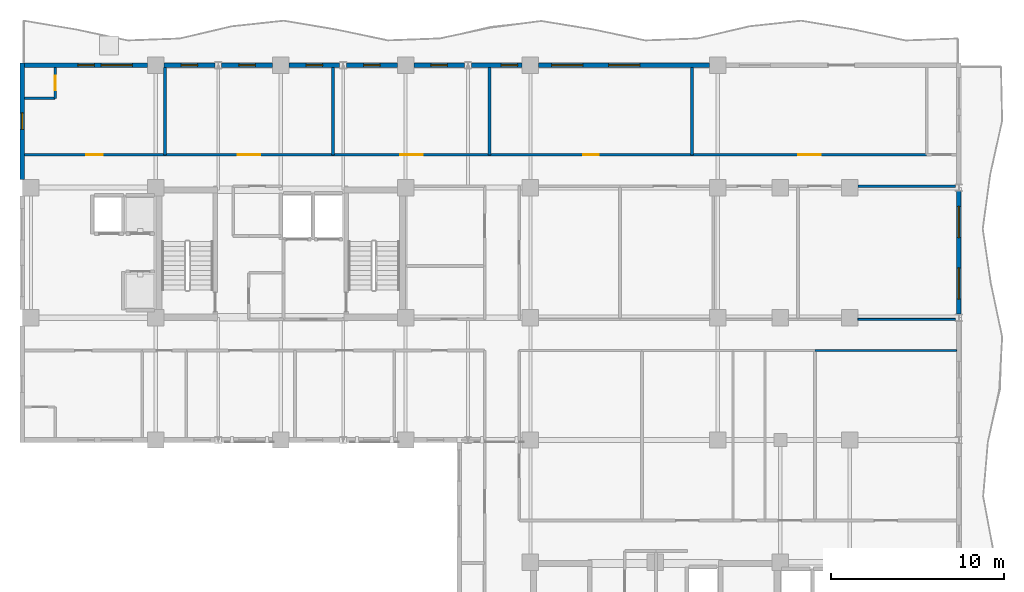
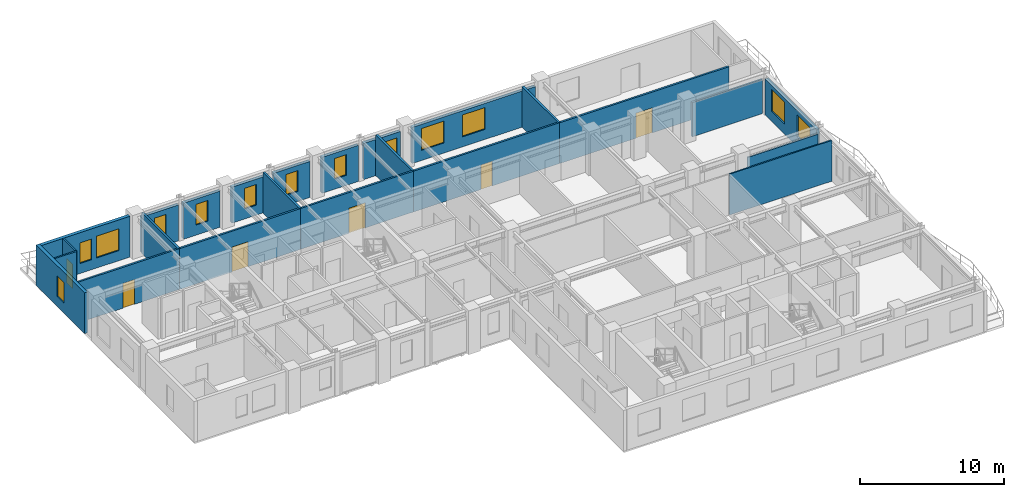
# One storey, part 9 of 14: 24 walls, 13 windows, 6 doors, 19 openings.
"""IFC4 building model written with IfcOpenShell, lengths in metres."""

from ifc_helpers import new_model, si_unit, direction, frame, frame_2d, origin, place, context, subcontext, project, spatial, rectangle, extrude, material, layer, layer_set, type_object, element, fill, save


model = new_model("IFC4")

# Units and contexts
model_context = context("Model", 3, precision=1e-05, world=origin(), true_north=direction((0.0, 1.0)))
body_context = subcontext(model_context, "Body", "Model", "MODEL_VIEW")
ifc_project = project(units=[si_unit("LENGTHUNIT", "METRE"), si_unit("AREAUNIT", "SQUARE_METRE"), si_unit("VOLUMEUNIT", "CUBIC_METRE"), si_unit("PLANEANGLEUNIT", "RADIAN"), si_unit("MASSUNIT", "GRAM", prefix="KILO")], contexts=[model_context])

# Site, building, storey
site_placement = place(None, origin())
site = spatial("IfcSite", under=ifc_project, at=site_placement, CompositionType="ELEMENT")
building_placement = place(site_placement, origin())
building = spatial("IfcBuilding", under=site, at=building_placement, Name="Kaliganga Portal Commons", CompositionType="ELEMENT")
storey_placement = place(building_placement, frame((0.0, 0.0, 220.300048828125)))
storey = spatial("IfcBuildingStorey", under=building, at=storey_placement, Name="L56", CompositionType="ELEMENT", Elevation=220.300048828125)

# Wall, openings, windows
ifc_material_1 = material(Name="Insulated Aluminium-Clad Spandrel Assembly", Category="aluminium")
ifc_layer_1 = layer(ifc_material_1, 0.260009765625)
ifc_layer_set_1 = layer_set([ifc_layer_1], Name="Insulated Aluminium-Clad Spandrel Assembly")
wall_type_1 = type_object("IfcWallType", Name="WL-EXT-SPAND-260", PredefinedType="STANDARD", material=ifc_layer_set_1)
wall_1_placement = place(storey_placement, frame((60.699951171875, 35.948974609375, 0.0), z_axis=(0.0, 0.0, 1.0), x_axis=(0.0, -1.0, 0.0)))
wall_1 = element("IfcWall", 1, at=wall_1_placement, inside=storey, type_object=wall_type_1, Name="Exterior Envelope Wall L56 P1-E01-S5", PredefinedType="STANDARD", context=body_context, shape_type="SweptSolid", body=[
    extrude(rectangle(XDim=7.097900390625, YDim=0.260009765625, at=frame_2d((3.548828125, 0.0))), origin(), (0.0, 0.0, 1.0), 3.050048828125),
])
opening_1_placement = place(wall_1_placement, frame((0.87451171875, 0.0, 0.85009765625)))
opening_1 = element("IfcOpeningElement", 2, at=opening_1_placement, cuts=wall_1, Name="Opening W-01", PredefinedType="OPENING", context=body_context, shape_type="SweptSolid", body=[
    extrude(rectangle(XDim=1.800048828125, YDim=1.85009765625, at=frame_2d((0.89990234375, 0.925048828125))), frame((0.0, 0.14013671875, 0.0), z_axis=(0.0, -1.0, 0.0), x_axis=(1.0, 0.0, 0.0)), (0.0, 0.0, 1.0), 0.280029296875),
])
opening_2_placement = place(wall_1_placement, frame((4.423583984375, 0.0, 0.85009765625)))
opening_2 = element("IfcOpeningElement", 3, at=opening_2_placement, cuts=wall_1, Name="Opening W-01", PredefinedType="OPENING", context=body_context, shape_type="SweptSolid", body=[
    extrude(rectangle(XDim=1.800048828125, YDim=1.85009765625, at=frame_2d((0.89990234375, 0.925048828125))), frame((0.0, 0.14013671875, 0.0), z_axis=(0.0, -1.0, 0.0), x_axis=(1.0, 0.0, 0.0)), (0.0, 0.0, 1.0), 0.280029296875),
])
ifc_material_2 = material(Name="Thermally Broken Aluminium and Low-E Double Glazing", Category="aluminium")
window_type_1 = type_object("IfcWindowType", Name="WIN-STD-1800", PartitioningType="DOUBLE_PANEL_VERTICAL", PredefinedType="WINDOW", material=ifc_material_2)
window_1_placement = place(opening_1_placement, origin())
window_1 = element("IfcWindow", 4, at=window_1_placement, inside=storey, type_object=window_type_1, Name="Facade Window L56-P1E01S5-00", OverallHeight=1.85009765625, OverallWidth=1.800048828125, PartitioningType="SINGLE_PANEL", PredefinedType="WINDOW", context=body_context, shape_type="SweptSolid", body=[
    extrude(rectangle(XDim=1.800048828125, YDim=1.85009765625, at=frame_2d((0.89990234375, 0.925048828125))), frame((0.0, 0.030029296875, 0.0), z_axis=(0.0, -1.0, 0.0), x_axis=(1.0, 0.0, 0.0)), (0.0, 0.0, 1.0), 0.06005859375),
])
fill(opening_1, window_1)
window_2_placement = place(opening_2_placement, origin())
window_2 = element("IfcWindow", 5, at=window_2_placement, inside=storey, type_object=window_type_1, Name="Facade Window L56-P1E01S5-01", OverallHeight=1.85009765625, OverallWidth=1.800048828125, PartitioningType="SINGLE_PANEL", PredefinedType="WINDOW", context=body_context, shape_type="SweptSolid", body=[
    extrude(rectangle(XDim=1.800048828125, YDim=1.85009765625, at=frame_2d((0.89990234375, 0.925048828125))), frame((0.0, 0.030029296875, 0.0), z_axis=(0.0, -1.0, 0.0), x_axis=(1.0, 0.0, 0.0)), (0.0, 0.0, 1.0), 0.06005859375),
])
fill(opening_2, window_2)

wall_2_placement = place(storey_placement, frame((36.47607421875, 43.199951171875, 0.0), z_axis=(0.0, 0.0, 1.0), x_axis=(1.0, 0.0, 0.0)))
wall_2 = element("IfcWall", 6, at=wall_2_placement, inside=storey, type_object=wall_type_1, Name="Exterior Envelope Wall L56 P1-E02-S2", PredefinedType="STANDARD", context=body_context, shape_type="SweptSolid", body=[
    extrude(rectangle(XDim=9.847900390625, YDim=0.260009765625, at=frame_2d((4.923828125, 0.0))), origin(), (0.0, 0.0, 1.0), 3.050048828125),
])
opening_3_placement = place(wall_2_placement, frame((0.7412109375, 0.0, 0.85009765625)))
opening_3 = element("IfcOpeningElement", 7, at=opening_3_placement, cuts=wall_2, Name="Opening W-01", PredefinedType="OPENING", context=body_context, shape_type="SweptSolid", body=[
    extrude(rectangle(XDim=1.800048828125, YDim=1.85009765625, at=frame_2d((0.89990234375, 0.925048828125))), frame((0.0, 0.14013671875, 0.0), z_axis=(0.0, -1.0, 0.0), x_axis=(1.0, 0.0, 0.0)), (0.0, 0.0, 1.0), 0.280029296875),
])
opening_4_placement = place(wall_2_placement, frame((4.02392578125, 0.0, 0.85009765625)))
opening_4 = element("IfcOpeningElement", 8, at=opening_4_placement, cuts=wall_2, Name="Opening W-01", PredefinedType="OPENING", context=body_context, shape_type="SweptSolid", body=[
    extrude(rectangle(XDim=1.800048828125, YDim=1.85009765625, at=frame_2d((0.89990234375, 0.925048828125))), frame((0.0, 0.14013671875, 0.0), z_axis=(0.0, -1.0, 0.0), x_axis=(1.0, 0.0, 0.0)), (0.0, 0.0, 1.0), 0.280029296875),
])
window_3_placement = place(opening_3_placement, origin())
window_3 = element("IfcWindow", 9, at=window_3_placement, inside=storey, type_object=window_type_1, Name="Facade Window L56-P1E02S2-00", OverallHeight=1.85009765625, OverallWidth=1.800048828125, PartitioningType="SINGLE_PANEL", PredefinedType="WINDOW", context=body_context, shape_type="SweptSolid", body=[
    extrude(rectangle(XDim=1.800048828125, YDim=1.85009765625, at=frame_2d((0.89990234375, 0.925048828125))), frame((0.0, 0.030029296875, 0.0), z_axis=(0.0, -1.0, 0.0), x_axis=(1.0, 0.0, 0.0)), (0.0, 0.0, 1.0), 0.06005859375),
])
fill(opening_3, window_3)
window_4_placement = place(opening_4_placement, origin())
window_4 = element("IfcWindow", 10, at=window_4_placement, inside=storey, type_object=window_type_1, Name="Facade Window L56-P1E02S2-01", OverallHeight=1.85009765625, OverallWidth=1.800048828125, PartitioningType="SINGLE_PANEL", PredefinedType="WINDOW", context=body_context, shape_type="SweptSolid", body=[
    extrude(rectangle(XDim=1.800048828125, YDim=1.85009765625, at=frame_2d((0.89990234375, 0.925048828125))), frame((0.0, 0.030029296875, 0.0), z_axis=(0.0, -1.0, 0.0), x_axis=(1.0, 0.0, 0.0)), (0.0, 0.0, 1.0), 0.06005859375),
])
fill(opening_4, window_4)

# Wall, opening, window
wall_3_placement = place(storey_placement, frame((32.6005859375, 43.199951171875, 0.0), z_axis=(0.0, 0.0, 1.0), x_axis=(1.0, 0.0, 0.0)))
wall_3 = element("IfcWall", 11, at=wall_3_placement, inside=storey, type_object=wall_type_1, Name="Exterior Envelope Wall L56 P1-E02-S3", PredefinedType="STANDARD", context=body_context, shape_type="SweptSolid", body=[
    extrude(rectangle(XDim=2.92333984375, YDim=0.260009765625, at=frame_2d((1.461669921875, 0.0))), origin(), (0.0, 0.0, 1.0), 3.050048828125),
])
opening_5_placement = place(wall_3_placement, frame((1.7119140625, 0.0, 0.85009765625)))
opening_5 = element("IfcOpeningElement", 12, at=opening_5_placement, cuts=wall_3, Name="Opening W-04", PredefinedType="OPENING", context=body_context, shape_type="SweptSolid", body=[
    extrude(rectangle(XDim=0.949951171875, YDim=1.75, at=frame_2d((0.47509765625, 0.875))), frame((0.0, 0.14013671875, 0.0), z_axis=(0.0, -1.0, 0.0), x_axis=(1.0, 0.0, 0.0)), (0.0, 0.0, 1.0), 0.280029296875),
])
window_type_2 = type_object("IfcWindowType", Name="WIN-NARROW-950", PartitioningType="SINGLE_PANEL", PredefinedType="WINDOW", material=ifc_material_2)
window_5_placement = place(opening_5_placement, origin())
window_5 = element("IfcWindow", 13, at=window_5_placement, inside=storey, type_object=window_type_2, Name="Facade Window L56-P1E02S3-N2", OverallHeight=1.75, OverallWidth=0.949951171875, PartitioningType="SINGLE_PANEL", PredefinedType="WINDOW", context=body_context, shape_type="SweptSolid", body=[
    extrude(rectangle(XDim=0.949951171875, YDim=1.75, at=frame_2d((0.47509765625, 0.875))), frame((0.0, 0.030029296875, 0.0), z_axis=(0.0, -1.0, 0.0), x_axis=(1.0, 0.0, 0.0)), (0.0, 0.0, 1.0), 0.06005859375),
])
fill(opening_5, window_5)

wall_4_placement = place(storey_placement, frame((29.27587890625, 43.199951171875, 0.0), z_axis=(0.0, 0.0, 1.0), x_axis=(1.0, 0.0, 0.0)))
wall_4 = element("IfcWall", 14, at=wall_4_placement, inside=storey, type_object=wall_type_1, Name="Exterior Envelope Wall L56 P1-E02-S4", PredefinedType="STANDARD", context=body_context, shape_type="SweptSolid", body=[
    extrude(rectangle(XDim=2.923583984375, YDim=0.260009765625, at=frame_2d((1.4619140625, 0.0))), origin(), (0.0, 0.0, 1.0), 3.050048828125),
])
opening_6_placement = place(wall_4_placement, frame((0.98681640625, 0.0, 0.85009765625)))
opening_6 = element("IfcOpeningElement", 15, at=opening_6_placement, cuts=wall_4, Name="Opening W-04", PredefinedType="OPENING", context=body_context, shape_type="SweptSolid", body=[
    extrude(rectangle(XDim=0.949951171875, YDim=1.75, at=frame_2d((0.47509765625, 0.875))), frame((0.0, 0.14013671875, 0.0), z_axis=(0.0, -1.0, 0.0), x_axis=(1.0, 0.0, 0.0)), (0.0, 0.0, 1.0), 0.280029296875),
])
window_6_placement = place(opening_6_placement, origin())
window_6 = element("IfcWindow", 16, at=window_6_placement, inside=storey, type_object=window_type_2, Name="Facade Window L56-P1E02S4-00", OverallHeight=1.75, OverallWidth=0.949951171875, PartitioningType="SINGLE_PANEL", PredefinedType="WINDOW", context=body_context, shape_type="SweptSolid", body=[
    extrude(rectangle(XDim=0.949951171875, YDim=1.75, at=frame_2d((0.47509765625, 0.875))), frame((0.0, 0.030029296875, 0.0), z_axis=(0.0, -1.0, 0.0), x_axis=(1.0, 0.0, 0.0)), (0.0, 0.0, 1.0), 0.06005859375),
])
fill(opening_6, window_6)

wall_5_placement = place(storey_placement, frame((25.400390625, 43.199951171875, 0.0), z_axis=(0.0, 0.0, 1.0), x_axis=(1.0, 0.0, 0.0)))
wall_5 = element("IfcWall", 17, at=wall_5_placement, inside=storey, type_object=wall_type_1, Name="Exterior Envelope Wall L56 P1-E02-S5", PredefinedType="STANDARD", context=body_context, shape_type="SweptSolid", body=[
    extrude(rectangle(XDim=2.923583984375, YDim=0.260009765625, at=frame_2d((1.4619140625, 0.0))), origin(), (0.0, 0.0, 1.0), 3.050048828125),
])
opening_7_placement = place(wall_5_placement, frame((0.98681640625, 0.0, 0.85009765625)))
opening_7 = element("IfcOpeningElement", 18, at=opening_7_placement, cuts=wall_5, Name="Opening W-04", PredefinedType="OPENING", context=body_context, shape_type="SweptSolid", body=[
    extrude(rectangle(XDim=0.949951171875, YDim=1.75, at=frame_2d((0.47509765625, 0.875))), frame((0.0, 0.14013671875, 0.0), z_axis=(0.0, -1.0, 0.0), x_axis=(1.0, 0.0, 0.0)), (0.0, 0.0, 1.0), 0.280029296875),
])
window_7_placement = place(opening_7_placement, origin())
window_7 = element("IfcWindow", 19, at=window_7_placement, inside=storey, type_object=window_type_2, Name="Facade Window L56-P1E02S5-00", OverallHeight=1.75, OverallWidth=0.949951171875, PartitioningType="SINGLE_PANEL", PredefinedType="WINDOW", context=body_context, shape_type="SweptSolid", body=[
    extrude(rectangle(XDim=0.949951171875, YDim=1.75, at=frame_2d((0.47509765625, 0.875))), frame((0.0, 0.030029296875, 0.0), z_axis=(0.0, -1.0, 0.0), x_axis=(1.0, 0.0, 0.0)), (0.0, 0.0, 1.0), 0.06005859375),
])
fill(opening_7, window_7)

wall_6_placement = place(storey_placement, frame((22.075927734375, 43.199951171875, 0.0), z_axis=(0.0, 0.0, 1.0), x_axis=(1.0, 0.0, 0.0)))
wall_6 = element("IfcWall", 20, at=wall_6_placement, inside=storey, type_object=wall_type_1, Name="Exterior Envelope Wall L56 P1-E02-S6", PredefinedType="STANDARD", context=body_context, shape_type="SweptSolid", body=[
    extrude(rectangle(XDim=2.923583984375, YDim=0.260009765625, at=frame_2d((1.4619140625, 0.0))), origin(), (0.0, 0.0, 1.0), 3.050048828125),
])
opening_8_placement = place(wall_6_placement, frame((0.98681640625, 0.0, 0.85009765625)))
opening_8 = element("IfcOpeningElement", 21, at=opening_8_placement, cuts=wall_6, Name="Opening W-04", PredefinedType="OPENING", context=body_context, shape_type="SweptSolid", body=[
    extrude(rectangle(XDim=0.949951171875, YDim=1.75, at=frame_2d((0.47509765625, 0.875))), frame((0.0, 0.14013671875, 0.0), z_axis=(0.0, -1.0, 0.0), x_axis=(1.0, 0.0, 0.0)), (0.0, 0.0, 1.0), 0.280029296875),
])
window_8_placement = place(opening_8_placement, origin())
window_8 = element("IfcWindow", 22, at=window_8_placement, inside=storey, type_object=window_type_2, Name="Facade Window L56-P1E02S6-00", OverallHeight=1.75, OverallWidth=0.949951171875, PartitioningType="SINGLE_PANEL", PredefinedType="WINDOW", context=body_context, shape_type="SweptSolid", body=[
    extrude(rectangle(XDim=0.949951171875, YDim=1.75, at=frame_2d((0.47509765625, 0.875))), frame((0.0, 0.030029296875, 0.0), z_axis=(0.0, -1.0, 0.0), x_axis=(1.0, 0.0, 0.0)), (0.0, 0.0, 1.0), 0.06005859375),
])
fill(opening_8, window_8)

wall_7_placement = place(storey_placement, frame((18.200439453125, 43.199951171875, 0.0), z_axis=(0.0, 0.0, 1.0), x_axis=(1.0, 0.0, 0.0)))
wall_7 = element("IfcWall", 23, at=wall_7_placement, inside=storey, type_object=wall_type_1, Name="Exterior Envelope Wall L56 P1-E02-S7", PredefinedType="STANDARD", context=body_context, shape_type="SweptSolid", body=[
    extrude(rectangle(XDim=2.923583984375, YDim=0.260009765625, at=frame_2d((1.4619140625, 0.0))), origin(), (0.0, 0.0, 1.0), 3.050048828125),
])
opening_9_placement = place(wall_7_placement, frame((0.98681640625, 0.0, 0.85009765625)))
opening_9 = element("IfcOpeningElement", 24, at=opening_9_placement, cuts=wall_7, Name="Opening W-04", PredefinedType="OPENING", context=body_context, shape_type="SweptSolid", body=[
    extrude(rectangle(XDim=0.949951171875, YDim=1.75, at=frame_2d((0.47509765625, 0.875))), frame((0.0, 0.14013671875, 0.0), z_axis=(0.0, -1.0, 0.0), x_axis=(1.0, 0.0, 0.0)), (0.0, 0.0, 1.0), 0.280029296875),
])
window_9_placement = place(opening_9_placement, origin())
window_9 = element("IfcWindow", 25, at=window_9_placement, inside=storey, type_object=window_type_2, Name="Facade Window L56-P1E02S7-00", OverallHeight=1.75, OverallWidth=0.949951171875, PartitioningType="SINGLE_PANEL", PredefinedType="WINDOW", context=body_context, shape_type="SweptSolid", body=[
    extrude(rectangle(XDim=0.949951171875, YDim=1.75, at=frame_2d((0.47509765625, 0.875))), frame((0.0, 0.030029296875, 0.0), z_axis=(0.0, -1.0, 0.0), x_axis=(1.0, 0.0, 0.0)), (0.0, 0.0, 1.0), 0.06005859375),
])
fill(opening_9, window_9)

wall_8_placement = place(storey_placement, frame((14.8759765625, 43.199951171875, 0.0), z_axis=(0.0, 0.0, 1.0), x_axis=(1.0, 0.0, 0.0)))
wall_8 = element("IfcWall", 26, at=wall_8_placement, inside=storey, type_object=wall_type_1, Name="Exterior Envelope Wall L56 P1-E02-S8", PredefinedType="STANDARD", context=body_context, shape_type="SweptSolid", body=[
    extrude(rectangle(XDim=2.923583984375, YDim=0.260009765625, at=frame_2d((1.4619140625, 0.0))), origin(), (0.0, 0.0, 1.0), 3.050048828125),
])
opening_10_placement = place(wall_8_placement, frame((0.98681640625, 0.0, 0.85009765625)))
opening_10 = element("IfcOpeningElement", 27, at=opening_10_placement, cuts=wall_8, Name="Opening W-04", PredefinedType="OPENING", context=body_context, shape_type="SweptSolid", body=[
    extrude(rectangle(XDim=0.949951171875, YDim=1.75, at=frame_2d((0.47509765625, 0.875))), frame((0.0, 0.14013671875, 0.0), z_axis=(0.0, -1.0, 0.0), x_axis=(1.0, 0.0, 0.0)), (0.0, 0.0, 1.0), 0.280029296875),
])
window_10_placement = place(opening_10_placement, origin())
window_10 = element("IfcWindow", 28, at=window_10_placement, inside=storey, type_object=window_type_2, Name="Facade Window L56-P1E02S8-00", OverallHeight=1.75, OverallWidth=0.949951171875, PartitioningType="SINGLE_PANEL", PredefinedType="WINDOW", context=body_context, shape_type="SweptSolid", body=[
    extrude(rectangle(XDim=0.949951171875, YDim=1.75, at=frame_2d((0.47509765625, 0.875))), frame((0.0, 0.030029296875, 0.0), z_axis=(0.0, -1.0, 0.0), x_axis=(1.0, 0.0, 0.0)), (0.0, 0.0, 1.0), 0.06005859375),
])
fill(opening_10, window_10)

# Wall, openings, windows
wall_9_placement = place(storey_placement, frame((6.8349609375, 43.199951171875, 0.0), z_axis=(0.0, 0.0, 1.0), x_axis=(1.0, 0.0, 0.0)))
wall_9 = element("IfcWall", 29, at=wall_9_placement, inside=storey, type_object=wall_type_1, Name="Exterior Envelope Wall L56 P1-E02-S9", PredefinedType="STANDARD", context=body_context, shape_type="SweptSolid", body=[
    extrude(rectangle(XDim=7.089111328125, YDim=0.260009765625, at=frame_2d((3.54443359375, 0.0))), origin(), (0.0, 0.0, 1.0), 3.449951171875),
])
opening_11_placement = place(wall_9_placement, frame((4.416748046875, 0.0, 0.85009765625)))
opening_11 = element("IfcOpeningElement", 30, at=opening_11_placement, cuts=wall_9, Name="Opening W-01", PredefinedType="OPENING", context=body_context, shape_type="SweptSolid", body=[
    extrude(rectangle(XDim=1.800048828125, YDim=1.85009765625, at=frame_2d((0.89990234375, 0.925048828125))), frame((0.0, 0.14013671875, 0.0), z_axis=(0.0, -1.0, 0.0), x_axis=(1.0, 0.0, 0.0)), (0.0, 0.0, 1.0), 0.280029296875),
])
opening_12_placement = place(wall_9_placement, frame((3.069580078125, 0.0, 0.85009765625)))
opening_12 = element("IfcOpeningElement", 31, at=opening_12_placement, cuts=wall_9, Name="Opening W-04", PredefinedType="OPENING", context=body_context, shape_type="SweptSolid", body=[
    extrude(rectangle(XDim=0.949951171875, YDim=1.75, at=frame_2d((0.47509765625, 0.875))), frame((0.0, 0.14013671875, 0.0), z_axis=(0.0, -1.0, 0.0), x_axis=(1.0, 0.0, 0.0)), (0.0, 0.0, 1.0), 0.280029296875),
])
window_11_placement = place(opening_12_placement, origin())
window_11 = element("IfcWindow", 32, at=window_11_placement, inside=storey, type_object=window_type_2, Name="Facade Window L56-P1E02S9-N0", OverallHeight=1.75, OverallWidth=0.949951171875, PartitioningType="SINGLE_PANEL", PredefinedType="WINDOW", context=body_context, shape_type="SweptSolid", body=[
    extrude(rectangle(XDim=0.949951171875, YDim=1.75, at=frame_2d((0.47509765625, 0.875))), frame((0.0, 0.030029296875, 0.0), z_axis=(0.0, -1.0, 0.0), x_axis=(1.0, 0.0, 0.0)), (0.0, 0.0, 1.0), 0.06005859375),
])
fill(opening_12, window_11)
window_12_placement = place(opening_11_placement, origin())
window_12 = element("IfcWindow", 33, at=window_12_placement, inside=storey, type_object=window_type_1, Name="Facade Window L56-P1E02S9-01", OverallHeight=1.85009765625, OverallWidth=1.800048828125, PartitioningType="SINGLE_PANEL", PredefinedType="WINDOW", context=body_context, shape_type="SweptSolid", body=[
    extrude(rectangle(XDim=1.800048828125, YDim=1.85009765625, at=frame_2d((0.89990234375, 0.925048828125))), frame((0.0, 0.030029296875, 0.0), z_axis=(0.0, -1.0, 0.0), x_axis=(1.0, 0.0, 0.0)), (0.0, 0.0, 1.0), 0.06005859375),
])
fill(opening_11, window_12)

# Wall, opening, window
wall_10_placement = place(storey_placement, frame((6.699951171875, 36.6259765625, 0.0), z_axis=(0.0, 0.0, 1.0), x_axis=(0.0, 1.0, 0.0)))
wall_10 = element("IfcWall", 34, at=wall_10_placement, inside=storey, type_object=wall_type_1, Name="Exterior Envelope Wall L56 P1-E03-S1", PredefinedType="STANDARD", context=body_context, shape_type="SweptSolid", body=[
    extrude(rectangle(XDim=6.7041015625, YDim=0.260009765625, at=frame_2d((3.35205078125, 0.0))), origin(), (0.0, 0.0, 1.0), 3.449951171875),
])
opening_13_placement = place(wall_10_placement, frame((2.876953125, 0.0, 0.85009765625)))
opening_13 = element("IfcOpeningElement", 35, at=opening_13_placement, cuts=wall_10, Name="Opening W-04", PredefinedType="OPENING", context=body_context, shape_type="SweptSolid", body=[
    extrude(rectangle(XDim=0.949951171875, YDim=1.75, at=frame_2d((0.47509765625, 0.875))), frame((0.0, 0.14013671875, 0.0), z_axis=(0.0, -1.0, 0.0), x_axis=(1.0, 0.0, 0.0)), (0.0, 0.0, 1.0), 0.280029296875),
])
window_13_placement = place(opening_13_placement, origin())
window_13 = element("IfcWindow", 36, at=window_13_placement, inside=storey, type_object=window_type_2, Name="Facade Window L56-P1E03S1-N0", OverallHeight=1.75, OverallWidth=0.949951171875, PartitioningType="SINGLE_PANEL", PredefinedType="WINDOW", context=body_context, shape_type="SweptSolid", body=[
    extrude(rectangle(XDim=0.949951171875, YDim=1.75, at=frame_2d((0.47509765625, 0.875))), frame((0.0, 0.030029296875, 0.0), z_axis=(0.0, -1.0, 0.0), x_axis=(1.0, 0.0, 0.0)), (0.0, 0.0, 1.0), 0.06005859375),
])
fill(opening_13, window_13)

# Wall, opening, door
ifc_material_3 = material(Name="Fire-Rated Gypsum Board on Steel Stud", Category="steel")
ifc_layer_2 = layer(ifc_material_3, 0.14990234375)
ifc_layer_set_2 = layer_set([ifc_layer_2], Name="Fire-Rated Gypsum Board on Steel Stud")
wall_type_2 = type_object("IfcWallType", Name="WL-PART-CORR-150", PredefinedType="PARTITIONING", material=ifc_layer_set_2)
wall_11_placement = place(storey_placement, frame((45.320068359375, 38.0400390625, 0.0), z_axis=(0.0, 0.0, 1.0), x_axis=(1.0, 0.0, 0.0)))
wall_11 = element("IfcWall", 37, at=wall_11_placement, inside=storey, type_object=wall_type_2, Name="Interior Partition L56-005", PredefinedType="PARTITIONING", context=body_context, shape_type="SweptSolid", body=[
    extrude(rectangle(XDim=13.52001953125, YDim=0.14990234375, at=frame_2d((6.760009765625, 0.0))), origin(), (0.0, 0.0, 1.0), 3.449951171875),
])
opening_14_placement = place(wall_11_placement, frame((6.110107421875, 0.0, 0.0)))
opening_14 = element("IfcOpeningElement", 38, at=opening_14_placement, cuts=wall_11, Name="Opening RD-03", PredefinedType="OPENING", context=body_context, shape_type="SweptSolid", body=[
    extrude(rectangle(XDim=1.300048828125, YDim=2.1201171875, at=frame_2d((0.64990234375, 1.06005859375))), frame((0.0, 0.0849609375, 0.0), z_axis=(0.0, -1.0, 0.0), x_axis=(1.0, 0.0, 0.0)), (0.0, 0.0, 1.0), 0.169921875),
])
ifc_material_4 = material(Name="Glazed Timber Seminar Vision Door", Category="wood")
door_type_1 = type_object("IfcDoorType", Name="DR-STUDY-1300", OperationType="DOUBLE_DOOR_SINGLE_SWING", PredefinedType="DOOR", material=ifc_material_4)
door_1_placement = place(opening_14_placement, origin())
door_1 = element("IfcDoor", 39, at=door_1_placement, inside=storey, type_object=door_type_1, Name="Interior Door L56-AN05", OperationType="DOUBLE_DOOR_SINGLE_SWING", OverallHeight=2.1201171875, OverallWidth=1.300048828125, PredefinedType="DOOR", context=body_context, shape_type="SweptSolid", body=[
    extrude(rectangle(XDim=1.300048828125, YDim=2.1201171875, at=frame_2d((0.64990234375, 1.06005859375))), frame((0.0, 0.02490234375, 0.0), z_axis=(0.0, -1.0, 0.0), x_axis=(1.0, 0.0, 0.0)), (0.0, 0.0, 1.0), 0.050048828125),
])
fill(opening_14, door_1)

wall_12_placement = place(storey_placement, frame((33.639892578125, 38.0400390625, 0.0), z_axis=(0.0, 0.0, 1.0), x_axis=(1.0, 0.0, 0.0)))
wall_12 = element("IfcWall", 40, at=wall_12_placement, inside=storey, type_object=wall_type_2, Name="Interior Partition L56-006", PredefinedType="PARTITIONING", context=body_context, shape_type="SweptSolid", body=[
    extrude(rectangle(XDim=11.68017578125, YDim=0.14990234375, at=frame_2d((5.840087890625, 0.0))), origin(), (0.0, 0.0, 1.0), 3.449951171875),
])
opening_15_placement = place(wall_12_placement, frame((5.389892578125, 0.0, 0.0)))
opening_15 = element("IfcOpeningElement", 41, at=opening_15_placement, cuts=wall_12, Name="Opening RD-01", PredefinedType="OPENING", context=body_context, shape_type="SweptSolid", body=[
    extrude(rectangle(XDim=0.89990234375, YDim=2.080078125, at=frame_2d((0.449951171875, 1.0400390625))), frame((0.0, 0.0849609375, 0.0), z_axis=(0.0, -1.0, 0.0), x_axis=(1.0, 0.0, 0.0)), (0.0, 0.0, 1.0), 0.169921875),
])
ifc_material_5 = material(Name="Engineered Timber Flush Door", Category="wood")
door_type_2 = type_object("IfcDoorType", Name="DR-ROOM-900", OperationType="NOTDEFINED", PredefinedType="DOOR", material=ifc_material_5)
door_2_placement = place(opening_15_placement, origin())
door_2 = element("IfcDoor", 42, at=door_2_placement, inside=storey, type_object=door_type_2, Name="Interior Door L56-AN04", OperationType="SINGLE_SWING_RIGHT", OverallHeight=2.080078125, OverallWidth=0.89990234375, PredefinedType="DOOR", context=body_context, shape_type="SweptSolid", body=[
    extrude(rectangle(XDim=0.89990234375, YDim=2.080078125, at=frame_2d((0.449951171875, 1.0400390625))), frame((0.0, 0.02490234375, 0.0), z_axis=(0.0, -1.0, 0.0), x_axis=(1.0, 0.0, 0.0)), (0.0, 0.0, 1.0), 0.050048828125),
])
fill(opening_15, door_2)

wall_13_placement = place(storey_placement, frame((14.919921875, 38.0400390625, 0.0), z_axis=(0.0, 0.0, 1.0), x_axis=(1.0, 0.0, 0.0)))
wall_13 = element("IfcWall", 43, at=wall_13_placement, inside=storey, type_object=wall_type_2, Name="Interior Partition L56-008", PredefinedType="PARTITIONING", context=body_context, shape_type="SweptSolid", body=[
    extrude(rectangle(XDim=9.7001953125, YDim=0.14990234375, at=frame_2d((4.85009765625, 0.0))), origin(), (0.0, 0.0, 1.0), 3.449951171875),
])
opening_16_placement = place(wall_13_placement, frame((4.199951171875, 0.0, 0.0)))
opening_16 = element("IfcOpeningElement", 44, at=opening_16_placement, cuts=wall_13, Name="Opening RD-03", PredefinedType="OPENING", context=body_context, shape_type="SweptSolid", body=[
    extrude(rectangle(XDim=1.300048828125, YDim=2.1201171875, at=frame_2d((0.64990234375, 1.06005859375))), frame((0.0, 0.0849609375, 0.0), z_axis=(0.0, -1.0, 0.0), x_axis=(1.0, 0.0, 0.0)), (0.0, 0.0, 1.0), 0.169921875),
])
door_3_placement = place(opening_16_placement, origin())
door_3 = element("IfcDoor", 45, at=door_3_placement, inside=storey, type_object=door_type_1, Name="Interior Door L56-AN02", OperationType="DOUBLE_DOOR_SINGLE_SWING", OverallHeight=2.1201171875, OverallWidth=1.300048828125, PredefinedType="DOOR", context=body_context, shape_type="SweptSolid", body=[
    extrude(rectangle(XDim=1.300048828125, YDim=2.1201171875, at=frame_2d((0.64990234375, 1.06005859375))), frame((0.0, 0.02490234375, 0.0), z_axis=(0.0, -1.0, 0.0), x_axis=(1.0, 0.0, 0.0)), (0.0, 0.0, 1.0), 0.050048828125),
])
fill(opening_16, door_3)

# Wall
wall_14_placement = place(storey_placement, frame((54.875, 36.239990234375, 0.0), z_axis=(0.0, 0.0, 1.0), x_axis=(1.0, 0.0, 0.0)))
element("IfcWall", 46, at=wall_14_placement, inside=storey, type_object=wall_type_2, Name="Interior Partition L56-010", PredefinedType="PARTITIONING", context=body_context, shape_type="SweptSolid", body=[
    extrude(rectangle(XDim=5.62548828125, YDim=0.14990234375, at=frame_2d((2.812744140625, 0.0))), origin(), (0.0, 0.0, 1.0), 2.89990234375),
])

# Wall, opening, door
wall_15_placement = place(storey_placement, frame((24.6201171875, 38.0400390625, 0.0), z_axis=(0.0, 0.0, 1.0), x_axis=(1.0, 0.0, 0.0)))
wall_15 = element("IfcWall", 47, at=wall_15_placement, inside=storey, type_object=wall_type_2, Name="Interior Partition L56-011", PredefinedType="PARTITIONING", context=body_context, shape_type="SweptSolid", body=[
    extrude(rectangle(XDim=9.019775390625, YDim=0.14990234375, at=frame_2d((4.509765625, 0.0))), origin(), (0.0, 0.0, 1.0), 3.449951171875),
])
opening_17_placement = place(wall_15_placement, frame((3.860107421875, 0.0, 0.0)))
opening_17 = element("IfcOpeningElement", 48, at=opening_17_placement, cuts=wall_15, Name="Opening RD-03", PredefinedType="OPENING", context=body_context, shape_type="SweptSolid", body=[
    extrude(rectangle(XDim=1.300048828125, YDim=2.1201171875, at=frame_2d((0.64990234375, 1.06005859375))), frame((0.0, 0.0849609375, 0.0), z_axis=(0.0, -1.0, 0.0), x_axis=(1.0, 0.0, 0.0)), (0.0, 0.0, 1.0), 0.169921875),
])
door_4_placement = place(opening_17_placement, origin())
door_4 = element("IfcDoor", 49, at=door_4_placement, inside=storey, type_object=door_type_1, Name="Interior Door L56-AN03", OperationType="DOUBLE_DOOR_SINGLE_SWING", OverallHeight=2.1201171875, OverallWidth=1.300048828125, PredefinedType="DOOR", context=body_context, shape_type="SweptSolid", body=[
    extrude(rectangle(XDim=1.300048828125, YDim=2.1201171875, at=frame_2d((0.64990234375, 1.06005859375))), frame((0.0, 0.02490234375, 0.0), z_axis=(0.0, -1.0, 0.0), x_axis=(1.0, 0.0, 0.0)), (0.0, 0.0, 1.0), 0.050048828125),
])
fill(opening_17, door_4)

wall_16_placement = place(storey_placement, frame((6.83203125, 38.0400390625, 0.0), z_axis=(0.0, 0.0, 1.0), x_axis=(1.0, 0.0, 0.0)))
wall_16 = element("IfcWall", 50, at=wall_16_placement, inside=storey, type_object=wall_type_2, Name="Interior Partition L56-013", PredefinedType="PARTITIONING", context=body_context, shape_type="SweptSolid", body=[
    extrude(rectangle(XDim=8.087890625, YDim=0.14990234375, at=frame_2d((4.0439453125, 0.0))), origin(), (0.0, 0.0, 1.0), 3.449951171875),
])
opening_18_placement = place(wall_16_placement, frame((3.569091796875, 0.0, 0.0)))
opening_18 = element("IfcOpeningElement", 51, at=opening_18_placement, cuts=wall_16, Name="Opening UD-01", PredefinedType="OPENING", context=body_context, shape_type="SweptSolid", body=[
    extrude(rectangle(XDim=0.949951171875, YDim=2.10009765625, at=frame_2d((0.47509765625, 1.050048828125))), frame((0.0, 0.0849609375, 0.0), z_axis=(0.0, -1.0, 0.0), x_axis=(1.0, 0.0, 0.0)), (0.0, 0.0, 1.0), 0.169921875),
])
ifc_material_6 = material(Name="Solid-Core Timber Acoustic Fire Door", Category="wood")
door_type_3 = type_object("IfcDoorType", Name="DR-UNIT-950", OperationType="NOTDEFINED", PredefinedType="DOOR", material=ifc_material_6)
door_5_placement = place(opening_18_placement, origin())
door_5 = element("IfcDoor", 52, at=door_5_placement, inside=storey, type_object=door_type_3, Name="Interior Door L56-AN01", OperationType="SINGLE_SWING_RIGHT", OverallHeight=2.10009765625, OverallWidth=0.949951171875, PredefinedType="DOOR", context=body_context, shape_type="SweptSolid", body=[
    extrude(rectangle(XDim=0.949951171875, YDim=2.10009765625, at=frame_2d((0.47509765625, 1.050048828125))), frame((0.0, 0.02490234375, 0.0), z_axis=(0.0, -1.0, 0.0), x_axis=(1.0, 0.0, 0.0)), (0.0, 0.0, 1.0), 0.050048828125),
])
fill(opening_18, door_5)

# Walls
ifc_material_7 = material(Name="Moisture-Resistant Gypsum Partition", Category="gypsum")
ifc_layer_3 = layer(ifc_material_7, 0.114990234375)
ifc_layer_set_3 = layer_set([ifc_layer_3], Name="Moisture-Resistant Gypsum Partition")
wall_type_3 = type_object("IfcWallType", Name="WL-PART-ROOM-115", PredefinedType="PARTITIONING", material=ifc_layer_set_3)
wall_17_placement = place(storey_placement, frame((54.875, 28.56005859375, 0.0), z_axis=(0.0, 0.0, 1.0), x_axis=(1.0, 0.0, 0.0)))
element("IfcWall", 53, at=wall_17_placement, inside=storey, type_object=wall_type_3, Name="Interior Partition L56-054", PredefinedType="PARTITIONING", context=body_context, shape_type="SweptSolid", body=[
    extrude(rectangle(XDim=5.62548828125, YDim=0.114990234375, at=frame_2d((2.812744140625, 0.0))), origin(), (0.0, 0.0, 1.0), 2.89990234375),
])
wall_18_placement = place(storey_placement, frame((52.39990234375, 26.760009765625, 0.0), z_axis=(0.0, 0.0, 1.0), x_axis=(1.0, 0.0, 0.0)))
element("IfcWall", 54, at=wall_18_placement, inside=storey, type_object=wall_type_3, Name="Interior Partition L56-055", PredefinedType="PARTITIONING", context=body_context, shape_type="SweptSolid", body=[
    extrude(rectangle(XDim=8.168212890625, YDim=0.114990234375, at=frame_2d((4.083984375, 0.0))), origin(), (0.0, 0.0, 1.0), 3.449951171875),
])
ifc_material_8 = material(Name="Twin-Stud Acoustic Gypsum Partition", Category="gypsum")
ifc_layer_4 = layer(ifc_material_8, 0.1650390625)
ifc_layer_set_4 = layer_set([ifc_layer_4], Name="Twin-Stud Acoustic Gypsum Partition")
wall_type_4 = type_object("IfcWallType", Name="WL-PART-UNIT-165", PredefinedType="PARTITIONING", material=ifc_layer_set_4)
for number, where, z_axis, x_axis, name in (
    (55, (14.919921875, 38.0400390625, 0.0), (0.0, 0.0, 1.0), (0.0, 1.0, 0.0), "Interior Partition L56-063"),
    (56, (24.6201171875, 38.0400390625, 0.0), (0.0, 0.0, 1.0), (0.0, 1.0, 0.0), "Interior Partition L56-064"),
    (57, (33.639892578125, 38.0400390625, 0.0), (0.0, 0.0, 1.0), (0.0, 1.0, 0.0), "Interior Partition L56-065"),
    (58, (45.320068359375, 38.0400390625, 0.0), (0.0, 0.0, 1.0), (0.0, 1.0, 0.0), "Interior Partition L56-066"),
):
    element("IfcWall", number, at=place(storey_placement, frame(where, z_axis=z_axis, x_axis=x_axis)), inside=storey, type_object=wall_type_4, Name=name, PredefinedType="PARTITIONING", context=body_context, shape_type="SweptSolid", body=[
        extrude(rectangle(XDim=5.028076171875, YDim=0.1650390625, at=frame_2d((2.51416015625, 0.0))), origin(), (0.0, 0.0, 1.0), 3.449951171875),
    ])

# Wall, opening, door
ifc_material_9 = material(Name="Cement-Board Wet-Room Partition", Category="gypsum")
ifc_layer_5 = layer(ifc_material_9, 0.135009765625)
ifc_layer_set_5 = layer_set([ifc_layer_5], Name="Cement-Board Wet-Room Partition")
wall_type_5 = type_object("IfcWallType", Name="WL-PART-WET-135", PredefinedType="PARTITIONING", material=ifc_layer_set_5)
wall_19_placement = place(storey_placement, frame((8.60009765625, 41.300048828125, 0.0), z_axis=(0.0, 0.0, 1.0), x_axis=(0.0, 1.0, 0.0)))
wall_19 = element("IfcWall", 59, at=wall_19_placement, inside=storey, type_object=wall_type_5, Name="Interior Partition L56-001", PredefinedType="PARTITIONING", context=body_context, shape_type="SweptSolid", body=[
    extrude(rectangle(XDim=1.76806640625, YDim=0.135009765625, at=frame_2d((0.884033203125, 0.0))), origin(), (0.0, 0.0, 1.0), 3.449951171875),
])
opening_19_placement = place(wall_19_placement, frame((0.458984375, 0.0, 0.0)))
opening_19 = element("IfcOpeningElement", 60, at=opening_19_placement, cuts=wall_19, Name="Opening WD-01", PredefinedType="OPENING", context=body_context, shape_type="SweptSolid", body=[
    extrude(rectangle(XDim=0.85009765625, YDim=2.0400390625, at=frame_2d((0.425048828125, 1.02001953125))), frame((0.0, 0.07763671875, 0.0), z_axis=(0.0, -1.0, 0.0), x_axis=(1.0, 0.0, 0.0)), (0.0, 0.0, 1.0), 0.155029296875),
])
ifc_material_10 = material(Name="Moisture-Resistant Laminate Timber Door", Category="wood")
door_type_4 = type_object("IfcDoorType", Name="DR-WET-850", OperationType="NOTDEFINED", PredefinedType="DOOR", material=ifc_material_10)
door_6_placement = place(opening_19_placement, origin())
door_6 = element("IfcDoor", 61, at=door_6_placement, inside=storey, type_object=door_type_4, Name="Interior Door L56-AN01E", OperationType="SINGLE_SWING_LEFT", OverallHeight=2.0400390625, OverallWidth=0.85009765625, PredefinedType="DOOR", context=body_context, shape_type="SweptSolid", body=[
    extrude(rectangle(XDim=0.85009765625, YDim=2.0400390625, at=frame_2d((0.425048828125, 1.02001953125))), frame((0.0, 0.02490234375, 0.0), z_axis=(0.0, -1.0, 0.0), x_axis=(1.0, 0.0, 0.0)), (0.0, 0.0, 1.0), 0.050048828125),
])
fill(opening_19, door_6)

# Wall
wall_20_placement = place(storey_placement, frame((6.83203125, 41.300048828125, 0.0), z_axis=(0.0, 0.0, 1.0), x_axis=(1.0, 0.0, 0.0)))
element("IfcWall", 62, at=wall_20_placement, inside=storey, type_object=wall_type_5, Name="Interior Partition L56-003", PredefinedType="PARTITIONING", context=body_context, shape_type="SweptSolid", body=[
    extrude(rectangle(XDim=1.76806640625, YDim=0.135009765625, at=frame_2d((0.884033203125, 0.0))), origin(), (0.0, 0.0, 1.0), 3.449951171875),
])

save(model, "model.ifc")
